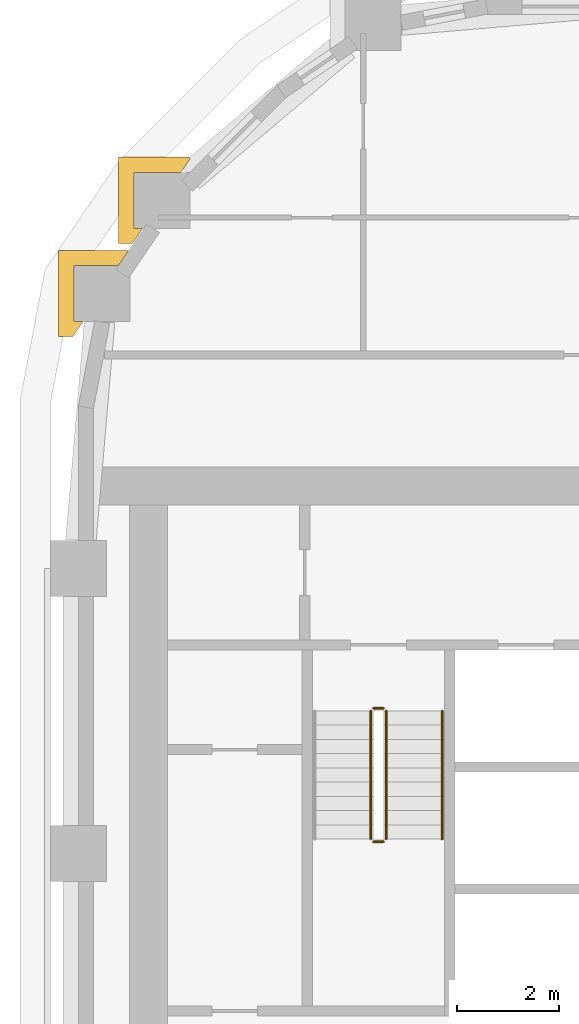
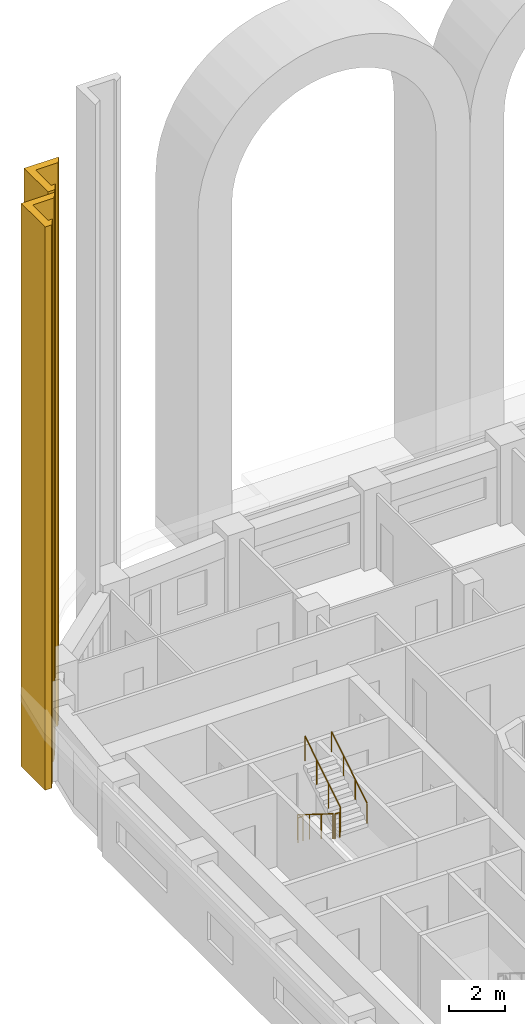
# One storey, part 16 of 18: 5 railings, 2 coverings.
"""IFC4 building model written with IfcOpenShell, lengths in metres."""

from ifc_helpers import new_model, si_unit, direction, frame, origin, origin_2d, place, context, subcontext, project, spatial, polyline, circle, outline, extrude, material, layer, layer_set, type_object, element, save


model = new_model("IFC4")

# Units and contexts
model_context = context("Model", 3, precision=1e-05, world=origin(), true_north=direction((0.0, 1.0)))
body_context = subcontext(model_context, "Body", "Model", "MODEL_VIEW")
ifc_project = project(units=[si_unit("LENGTHUNIT", "METRE"), si_unit("AREAUNIT", "SQUARE_METRE"), si_unit("VOLUMEUNIT", "CUBIC_METRE"), si_unit("PLANEANGLEUNIT", "RADIAN"), si_unit("MASSUNIT", "GRAM", prefix="KILO")], contexts=[model_context])

# Site, building, storey
site_placement = place(None, origin())
site = spatial("IfcSite", under=ifc_project, at=site_placement, CompositionType="ELEMENT")
building_placement = place(site_placement, origin())
building = spatial("IfcBuilding", under=site, at=building_placement, Name="Kiln Ring Residences", CompositionType="ELEMENT")
storey_placement = place(building_placement, frame((0.0, 0.0, 136.10009765625)))
storey = spatial("IfcBuildingStorey", under=building, at=storey_placement, Name="L34", CompositionType="ELEMENT", Elevation=136.10009765625)

# Railings
ifc_material_1 = material(Name="Stainless steel", Category="steel")
railing_type_1 = type_object("IfcRailingType", Name="CORE-STAIR-GUARD", PredefinedType="GUARDRAIL", material=ifc_material_1)
railing_1_placement = place(storey_placement, frame((-22.25, 8.39990234375, 0.1748046875)))
element("IfcRailing", 1, at=railing_1_placement, inside=storey, type_object=railing_type_1, Name="L34 W-STN stair guard 1", PredefinedType="GUARDRAIL", context=body_context, shape_type="SweptSolid", body=[
    extrude(circle(Radius=0.02392578125, at=origin_2d()), frame((0.0, 0.0, 1.076171875), z_axis=(0.0, -0.847970611238, 0.530043245855), x_axis=(1.0, 0.0, 0.0)), (0.0, 0.0, 1.0), 2.971923828125),
    extrude(circle(Radius=0.02099609375, at=origin_2d()), origin(), (0.0, 0.0, 1.0), 1.052001953125),
    extrude(circle(Radius=0.02099609375, at=origin_2d()), frame((0.0, -0.840087890625, 0.525146484375)), (0.0, 0.0, 1.0), 1.052001953125),
    extrude(circle(Radius=0.02099609375, at=origin_2d()), frame((0.0, -1.679931640625, 1.050048828125)), (0.0, 0.0, 1.0), 1.052001953125),
    extrude(circle(Radius=0.02099609375, at=origin_2d()), frame((0.0, -2.52001953125, 1.5751953125)), (0.0, 0.0, 1.0), 1.052001953125),
])
railing_2_placement = place(storey_placement, frame((-22.199951171875, 5.830078125, 1.75)))
element("IfcRailing", 2, at=railing_2_placement, inside=storey, type_object=railing_type_1, Name="L34 W-STN stair guard 2", PredefinedType="GUARDRAIL", context=body_context, shape_type="SweptSolid", body=[
    extrude(circle(Radius=0.02392578125, at=origin_2d()), frame((0.0, 0.0, 1.076171875), z_axis=(1.0, 0.0, 0.0), x_axis=(0.0, 1.0, 0.0)), (0.0, 0.0, 1.0), 0.199951171875),
    extrude(circle(Radius=0.02099609375, at=origin_2d()), origin(), (0.0, 0.0, 1.0), 1.052001953125),
    extrude(circle(Radius=0.02099609375, at=origin_2d()), frame((0.199951171875, 0.0, 0.0)), (0.0, 0.0, 1.0), 1.052001953125),
])
railing_3_placement = place(storey_placement, frame((-21.949951171875, 5.8798828125, 1.9248046875)))
element("IfcRailing", 3, at=railing_3_placement, inside=storey, type_object=railing_type_1, Name="L34 W-STN stair guard 3", PredefinedType="GUARDRAIL", context=body_context, shape_type="SweptSolid", body=[
    extrude(circle(Radius=0.02392578125, at=origin_2d()), frame((0.0, 0.0, 1.076171875), z_axis=(0.0, 0.847970611238, 0.530043245855), x_axis=(-1.0, 0.0, 0.0)), (0.0, 0.0, 1.0), 2.971923828125),
    extrude(circle(Radius=0.02099609375, at=origin_2d()), origin(), (0.0, 0.0, 1.0), 1.052001953125),
    extrude(circle(Radius=0.02099609375, at=origin_2d()), frame((0.0, 0.840087890625, 0.525146484375)), (0.0, 0.0, 1.0), 1.052001953125),
    extrude(circle(Radius=0.02099609375, at=origin_2d()), frame((0.0, 1.679931640625, 1.050048828125)), (0.0, 0.0, 1.0), 1.052001953125),
    extrude(circle(Radius=0.02099609375, at=origin_2d()), frame((0.0, 2.52001953125, 1.5751953125)), (0.0, 0.0, 1.0), 1.052001953125),
])
railing_4_placement = place(storey_placement, frame((-22.199951171875, 8.449951171875, 0.0)))
element("IfcRailing", 4, at=railing_4_placement, inside=storey, type_object=railing_type_1, Name="L34 W-STN stair guard 4", PredefinedType="GUARDRAIL", context=body_context, shape_type="SweptSolid", body=[
    extrude(circle(Radius=0.02392578125, at=origin_2d()), frame((0.0, 0.0, 1.076171875), z_axis=(1.0, 0.0, 0.0), x_axis=(0.0, 1.0, 0.0)), (0.0, 0.0, 1.0), 0.199951171875),
    extrude(circle(Radius=0.02099609375, at=origin_2d()), origin(), (0.0, 0.0, 1.0), 1.052001953125),
    extrude(circle(Radius=0.02099609375, at=origin_2d()), frame((0.199951171875, 0.0, 0.0)), (0.0, 0.0, 1.0), 1.052001953125),
])
ifc_material_2 = material(Name="Stainless steel", Category="steel")
railing_type_2 = type_object("IfcRailingType", Name="CORE-STAIR-HANDRAIL", PredefinedType="HANDRAIL", material=ifc_material_2)
railing_5_placement = place(storey_placement, frame((-20.85009765625, 5.8798828125, 1.9248046875)))
element("IfcRailing", 5, at=railing_5_placement, inside=storey, type_object=railing_type_2, Name="L34 W-STN stair handrail 2", PredefinedType="HANDRAIL", context=body_context, shape_type="SweptSolid", body=[
    extrude(circle(Radius=0.02392578125, at=origin_2d()), frame((0.0, 0.0, 0.8759765625), z_axis=(0.0, 0.847970611238, 0.530043245855), x_axis=(-1.0, 0.0, 0.0)), (0.0, 0.0, 1.0), 2.971923828125),
    extrude(circle(Radius=0.02099609375, at=origin_2d()), origin(), (0.0, 0.0, 1.0), 0.851806640625),
    extrude(circle(Radius=0.02099609375, at=origin_2d()), frame((0.0, 0.840087890625, 0.525146484375)), (0.0, 0.0, 1.0), 0.851806640625),
    extrude(circle(Radius=0.02099609375, at=origin_2d()), frame((0.0, 1.679931640625, 1.050048828125)), (0.0, 0.0, 1.0), 0.851806640625),
    extrude(circle(Radius=0.02099609375, at=origin_2d()), frame((0.0, 2.52001953125, 1.5751953125)), (0.0, 0.0, 1.0), 0.851806640625),
])

# Coverings
ifc_material_3 = material(Name="Brick masonry, dark clay brick", Category="masonry")
ifc_layer = layer(ifc_material_3, 0.300048828125)
ifc_layer_set = layer_set([ifc_layer], Name="PIER CLADDING 300")
covering_type = type_object("IfcCoveringType", Name="PIER CLADDING 300", PredefinedType="CLADDING", material=ifc_layer_set)
placement = place(storey_placement, origin())
element("IfcCovering", 6, at=placement, inside=storey, type_object=covering_type, Name="PIER CLADDING L34-L40", PredefinedType="CLADDING", context=body_context, shape_type="SweptSolid", body=[
    extrude(outline(polyline([(-25.830810546875, 19.290283203125), (-27.209716796875, 19.290283203125), (-27.209716796875, 17.590087890625), (-26.9375, 17.590087890625), (-26.733642578125, 17.89013671875), (-26.909912109375, 17.89013671875), (-26.909912109375, 18.990234375), (-25.986083984375, 18.990234375), (-25.8017578125, 19.26123046875), (-25.830810546875, 19.290283203125)])), origin(), (0.0, 0.0, 1.0), 24.5),
])
element("IfcCovering", 7, at=placement, inside=storey, type_object=covering_type, Name="PIER CLADDING L34-L40", PredefinedType="CLADDING", context=body_context, shape_type="SweptSolid", body=[
    extrude(outline(polyline([(-27.008544921875, 17.458740234375), (-28.38818359375, 17.458740234375), (-28.38818359375, 15.7587890625), (-28.11572265625, 15.7587890625), (-27.911865234375, 16.05859375), (-28.088134765625, 16.05859375), (-28.088134765625, 17.15869140625), (-27.21240234375, 17.15869140625), (-27.008544921875, 17.458740234375)])), origin(), (0.0, 0.0, 1.0), 24.5),
])

save(model, "model.ifc")
